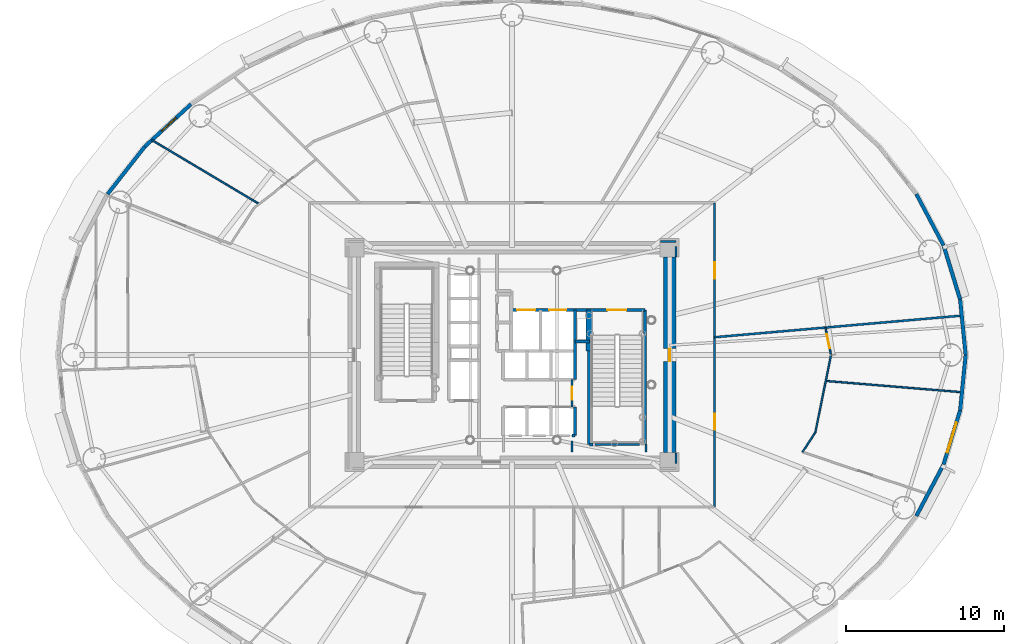
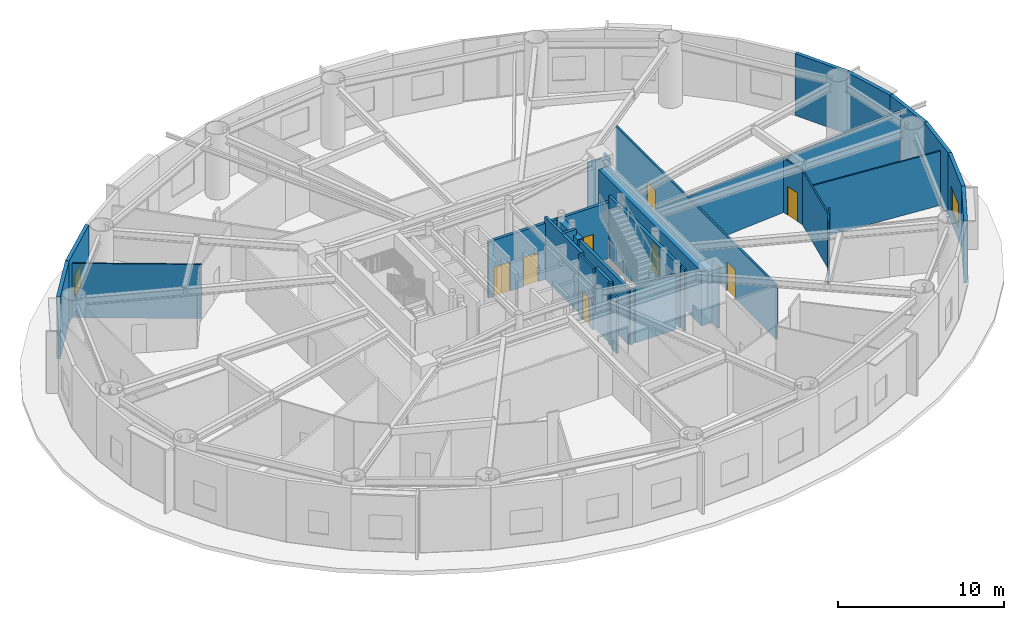
# One storey, part 12 of 19: 32 walls, 8 doors, 2 windows, 10 openings.
"""IFC4 building model written with IfcOpenShell, lengths in metres."""

from ifc_helpers import new_model, si_unit, direction, frame, frame_2d, origin, origin_2d, place, context, subcontext, project, spatial, rectangle, extrude, source, transform, mapped, material, layer, layer_set, type_object, element, fill, save


model = new_model("IFC4")

# Units and contexts
model_context = context("Model", 3, precision=1e-05, world=origin(), true_north=direction((0.0, 1.0)))
body_context = subcontext(model_context, "Body", "Model", "MODEL_VIEW")
ifc_project = project(units=[si_unit("LENGTHUNIT", "METRE"), si_unit("AREAUNIT", "SQUARE_METRE"), si_unit("VOLUMEUNIT", "CUBIC_METRE"), si_unit("PLANEANGLEUNIT", "RADIAN"), si_unit("MASSUNIT", "GRAM", prefix="KILO")], contexts=[model_context])

# Site, building, storey
site_placement = place(None, origin())
site = spatial("IfcSite", under=ifc_project, at=site_placement, CompositionType="ELEMENT")
building_placement = place(site_placement, origin())
building = spatial("IfcBuilding", under=site, at=building_placement, Name="Linh Dai School and Residence Tower", CompositionType="ELEMENT")
storey_placement = place(building_placement, frame((0.0, 0.0, 92.39990234375)))
storey = spatial("IfcBuildingStorey", under=building, at=storey_placement, Name="L21", CompositionType="ELEMENT", Elevation=92.39990234375)

# Walls
ifc_material_1 = material(Name="Precast Concrete B45 (C35/45)", Category="concrete")
ifc_layer_1 = layer(ifc_material_1, 0.239990234375)
ifc_layer_set_1 = layer_set([ifc_layer_1], Name="Precast Concrete B45 (C35/45)")
wall_type_1 = type_object("IfcWallType", Name="EW-TC-240", PredefinedType="SOLIDWALL", material=ifc_layer_set_1)
wall_1_placement = place(storey_placement, frame((64.421630859375, 30.515380859375, 0.0), z_axis=(0.0, 0.0, 1.0), x_axis=(0.099989468229, -0.994988495533, 0.0)))
element("IfcWall", 1, at=wall_1_placement, inside=storey, type_object=wall_type_1, Name="L21 Terracotta Exterior Wall 01", PredefinedType="SOLIDWALL", context=body_context, shape_type="SweptSolid", body=[
    extrude(rectangle(XDim=3.533203125, YDim=0.239990234375, at=frame_2d((1.7666015625, 0.0))), origin(), (0.0, 0.0, 1.0), 4.550048828125),
])
wall_2_placement = place(storey_placement, frame((63.3701171875, 33.945068359375, 0.0), z_axis=(0.0, 0.0, 1.0), x_axis=(0.293124431344, -0.956074300329, 0.0)))
element("IfcWall", 2, at=wall_2_placement, inside=storey, type_object=wall_type_1, Name="L21 Terracotta Exterior Wall 02", PredefinedType="SOLIDWALL", context=body_context, shape_type="SweptSolid", body=[
    extrude(rectangle(XDim=3.587158203125, YDim=0.239990234375, at=frame_2d((1.79345703125, 0.0))), origin(), (0.0, 0.0, 1.0), 4.550048828125),
])
wall_3_placement = place(storey_placement, frame((61.645263671875, 37.20556640625, 0.0), z_axis=(0.0, 0.0, 1.0), x_axis=(0.467614004126, -0.883932770716, 0.0)))
element("IfcWall", 3, at=wall_3_placement, inside=storey, type_object=wall_type_1, Name="L21 Terracotta Exterior Wall 03", PredefinedType="SOLIDWALL", context=body_context, shape_type="SweptSolid", body=[
    extrude(rectangle(XDim=3.688720703125, YDim=0.239990234375, at=frame_2d((1.84423828125, 0.0))), origin(), (0.0, 0.0, 1.0), 4.550048828125),
])

# Wall, opening, window
wall_4_placement = place(storey_placement, frame((12.7109375, 40.216552734375, 0.0), z_axis=(0.0, 0.0, 1.0), x_axis=(0.737113356241, 0.675769117414, 0.0)))
wall_4 = element("IfcWall", 4, at=wall_4_placement, inside=storey, type_object=wall_type_1, Name="L21 Terracotta Exterior Wall 16", PredefinedType="SOLIDWALL", context=body_context, shape_type="SweptSolid", body=[
    extrude(rectangle(XDim=3.975830078125, YDim=0.239990234375, at=frame_2d((1.98779296875, 0.0))), origin(), (0.0, 0.0, 1.0), 4.550048828125),
])
opening_1_placement = place(wall_4_placement, frame((1.447021484375, 0.0, 0.89990234375)))
opening_1 = element("IfcOpeningElement", 5, at=opening_1_placement, cuts=wall_4, Name="Opening W3", PredefinedType="OPENING", context=body_context, shape_type="SweptSolid", body=[
    extrude(rectangle(XDim=1.25, YDim=1.64990234375, at=origin_2d()), frame((0.625, 0.1298828125, 0.824951171875), z_axis=(0.0, -1.0, 0.0), x_axis=(1.0, 0.0, 0.0)), (0.0, 0.0, 1.0), 0.260009765625),
])
ifc_material_2 = material(Name="Double Low-E Insulated Glazing", Category="glass")
window_type_1 = type_object("IfcWindowType", Name="WN-RES-1250x1650", PartitioningType="SINGLE_PANEL", PredefinedType="WINDOW", material=ifc_material_2)
shared_shape_1 = source(origin(), body_context, "Body", "SweptSolid", [
    extrude(rectangle(XDim=1.25, YDim=1.64990234375, at=origin_2d()), frame((0.625, 0.030029296875, 0.824951171875), z_axis=(0.0, -1.0, 0.0), x_axis=(1.0, 0.0, 0.0)), (0.0, 0.0, 1.0), 0.06005859375),
])
window_1_placement = place(opening_1_placement, origin())
window_1 = element("IfcWindow", 6, at=window_1_placement, inside=storey, type_object=window_type_1, Name="L21 Dwelling Window U2101-BD1", OverallHeight=1.64990234375, OverallWidth=1.25, PartitioningType="SINGLE_PANEL", PredefinedType="WINDOW", context=body_context, shape_type="MappedRepresentation", body=[
    mapped(shared_shape_1, transform((0.0, 0.0, 0.0), x_axis=(1.0, 0.0, 0.0), y_axis=(0.0, 1.0, 0.0), z_axis=(0.0, 0.0, 1.0), scale=1.0)),
])
fill(opening_1, window_1)

# Walls
wall_5_placement = place(storey_placement, frame((10.354736328125, 37.20556640625, 0.0), z_axis=(0.0, 0.0, 1.0), x_axis=(0.616272103517, 0.787533297345, 0.0)))
element("IfcWall", 7, at=wall_5_placement, inside=storey, type_object=wall_type_1, Name="L21 Terracotta Exterior Wall 17", PredefinedType="SOLIDWALL", context=body_context, shape_type="SweptSolid", body=[
    extrude(rectangle(XDim=3.8232421875, YDim=0.239990234375, at=frame_2d((1.91162109375, 0.0))), origin(), (0.0, 0.0, 1.0), 4.550048828125),
])
wall_6_placement = place(storey_placement, frame((63.3701171875, 20.054931640625, 0.0), z_axis=(0.0, 0.0, 1.0), x_axis=(-0.467614004126, -0.883932770716, 0.0)))
element("IfcWall", 8, at=wall_6_placement, inside=storey, type_object=wall_type_1, Name="L21 Terracotta Exterior Wall 38", PredefinedType="SOLIDWALL", context=body_context, shape_type="SweptSolid", body=[
    extrude(rectangle(XDim=3.688720703125, YDim=0.239990234375, at=frame_2d((1.84423828125, 0.0))), origin(), (0.0, 0.0, 1.0), 4.550048828125),
])

# Wall, opening, window
wall_7_placement = place(storey_placement, frame((64.421630859375, 23.484619140625, 0.0), z_axis=(0.0, 0.0, 1.0), x_axis=(-0.293124431344, -0.956074300329, 0.0)))
wall_7 = element("IfcWall", 9, at=wall_7_placement, inside=storey, type_object=wall_type_1, Name="L21 Terracotta Exterior Wall 39", PredefinedType="SOLIDWALL", context=body_context, shape_type="SweptSolid", body=[
    extrude(rectangle(XDim=3.587158203125, YDim=0.239990234375, at=frame_2d((1.79345703125, 0.0))), origin(), (0.0, 0.0, 1.0), 4.550048828125),
])
opening_2_placement = place(wall_7_placement, frame((0.793701171875, 0.0, 0.89990234375)))
opening_2 = element("IfcOpeningElement", 10, at=opening_2_placement, cuts=wall_7, Name="Opening W1", PredefinedType="OPENING", context=body_context, shape_type="SweptSolid", body=[
    extrude(rectangle(XDim=2.0, YDim=1.75, at=origin_2d()), frame((1.0, 0.1298828125, 0.875), z_axis=(0.0, -1.0, 0.0), x_axis=(1.0, 0.0, 0.0)), (0.0, 0.0, 1.0), 0.260009765625),
])
window_type_2 = type_object("IfcWindowType", Name="WN-RES-2000x1750", PartitioningType="DOUBLE_PANEL_VERTICAL", PredefinedType="WINDOW", material=ifc_material_2)
shared_shape_2 = source(origin(), body_context, "Body", "SweptSolid", [
    extrude(rectangle(XDim=2.0, YDim=1.75, at=origin_2d()), frame((1.0, 0.030029296875, 0.875), z_axis=(0.0, -1.0, 0.0), x_axis=(1.0, 0.0, 0.0)), (0.0, 0.0, 1.0), 0.06005859375),
])
window_2_placement = place(opening_2_placement, origin())
window_2 = element("IfcWindow", 11, at=window_2_placement, inside=storey, type_object=window_type_2, Name="L21 Exterior Window 39.1", OverallHeight=1.75, OverallWidth=2.0, PartitioningType="DOUBLE_PANEL_VERTICAL", PredefinedType="WINDOW", context=body_context, shape_type="MappedRepresentation", body=[
    mapped(shared_shape_2, transform((0.0, 0.0, 0.0), x_axis=(1.0, 0.0, 0.0), y_axis=(0.0, 1.0, 0.0), z_axis=(0.0, 0.0, 1.0), scale=1.0)),
])
fill(opening_2, window_2)

# Wall
wall_8_placement = place(storey_placement, frame((64.77490234375, 27.0, 0.0), z_axis=(0.0, 0.0, 1.0), x_axis=(-0.099989468229, -0.994988495533, 0.0)))
element("IfcWall", 12, at=wall_8_placement, inside=storey, type_object=wall_type_1, Name="L21 Terracotta Exterior Wall 40", PredefinedType="SOLIDWALL", context=body_context, shape_type="SweptSolid", body=[
    extrude(rectangle(XDim=3.533203125, YDim=0.239990234375, at=frame_2d((1.7666015625, 0.0))), origin(), (0.0, 0.0, 1.0), 4.550048828125),
])

# Wall, opening, door
ifc_material_3 = material(Name="Autoclaved Aerated Concrete Blockwork", Category="masonry")
ifc_layer_2 = layer(ifc_material_3, 0.135009765625)
ifc_layer_set_2 = layer_set([ifc_layer_2], Name="Autoclaved Aerated Concrete Blockwork")
wall_type_2 = type_object("IfcWallType", Name="IW-CORR-135-EI90", PredefinedType="PARTITIONING", material=ifc_layer_set_2)
wall_9_placement = place(storey_placement, frame((39.800048828125, 23.699951171875, 0.0), z_axis=(0.0, 0.0, 1.0), x_axis=(0.0, 1.0, 0.0)))
wall_9 = element("IfcWall", 13, at=wall_9_placement, inside=storey, type_object=wall_type_2, Name="L21 Interior Partition Wall 057", PredefinedType="PARTITIONING", context=body_context, shape_type="SweptSolid", body=[
    extrude(rectangle(XDim=1.75, YDim=0.135009765625, at=frame_2d((0.875, 0.0))), origin(), (0.0, 0.0, 1.0), 4.550048828125),
])
opening_3_placement = place(wall_9_placement, frame((0.465087890625, 0.0, 0.0)))
opening_3 = element("IfcOpeningElement", 14, at=opening_3_placement, cuts=wall_9, Name="Opening D06", PredefinedType="OPENING", context=body_context, shape_type="SweptSolid", body=[
    extrude(rectangle(XDim=0.820068359375, YDim=2.10009765625, at=origin_2d()), frame((0.41015625, 0.07763671875, 1.050048828125), z_axis=(0.0, -1.0, 0.0), x_axis=(1.0, 0.0, 0.0)), (0.0, 0.0, 1.0), 0.155029296875),
])
ifc_material_4 = material(Name="Moisture-Resistant Timber Bathroom Door", Category="wood")
door_type_1 = type_object("IfcDoorType", Name="DR-WET-820x2100", OperationType="NOTDEFINED", PredefinedType="DOOR", material=ifc_material_4)
shared_shape_3 = source(origin(), body_context, "Body", "SweptSolid", [
    extrude(rectangle(XDim=0.820068359375, YDim=2.10009765625, at=origin_2d()), frame((0.41015625, 0.02490234375, 1.050048828125), z_axis=(0.0, -1.0, 0.0), x_axis=(1.0, 0.0, 0.0)), (0.0, 0.0, 1.0), 0.050048828125),
])
door_1_placement = place(opening_3_placement, origin())
door_1 = element("IfcDoor", 15, at=door_1_placement, inside=storey, type_object=door_type_1, Name="L21 Core Housekeeping Store Door", OperationType="SINGLE_SWING_LEFT", OverallHeight=2.10009765625, OverallWidth=0.820068359375, PredefinedType="DOOR", context=body_context, shape_type="MappedRepresentation", body=[
    mapped(shared_shape_3, transform((0.0, 0.0, 0.0), x_axis=(1.0, 0.0, 0.0), y_axis=(0.0, 1.0, 0.0), z_axis=(0.0, 0.0, 1.0), scale=1.0)),
])
fill(opening_3, door_1)

# Wall, openings, doors
wall_10_placement = place(storey_placement, frame((48.85009765625, 17.35009765625, 0.0), z_axis=(0.0, 0.0, 1.0), x_axis=(0.0, 1.0, 0.0)))
wall_10 = element("IfcWall", 16, at=wall_10_placement, inside=storey, type_object=wall_type_2, Name="L21 Interior Partition Wall 072", PredefinedType="PARTITIONING", context=body_context, shape_type="SweptSolid", body=[
    extrude(rectangle(XDim=19.2998046875, YDim=0.135009765625, at=frame_2d((9.64990234375, 0.0))), origin(), (0.0, 0.0, 1.0), 3.985107421875),
])
opening_4_placement = place(wall_10_placement, frame((4.906982421875, 0.0, 0.0)))
opening_4 = element("IfcOpeningElement", 17, at=opening_4_placement, cuts=wall_10, Name="Opening D03", PredefinedType="OPENING", context=body_context, shape_type="SweptSolid", body=[
    extrude(rectangle(XDim=1.0, YDim=2.14990234375, at=origin_2d()), frame((0.5, 0.07763671875, 1.074951171875), z_axis=(0.0, -1.0, 0.0), x_axis=(1.0, 0.0, 0.0)), (0.0, 0.0, 1.0), 0.155029296875),
])
opening_5_placement = place(wall_10_placement, frame((14.4921875, 0.0, 0.0)))
opening_5 = element("IfcOpeningElement", 18, at=opening_5_placement, cuts=wall_10, Name="Opening D04", PredefinedType="OPENING", context=body_context, shape_type="SweptSolid", body=[
    extrude(rectangle(XDim=1.050048828125, YDim=2.14990234375, at=origin_2d()), frame((0.52490234375, 0.07763671875, 1.074951171875), z_axis=(0.0, -1.0, 0.0), x_axis=(1.0, 0.0, 0.0)), (0.0, 0.0, 1.0), 0.155029296875),
])
ifc_material_5 = material(Name="Acoustic Vision-Panel Timber Classroom Door", Category="wood")
door_type_2 = type_object("IfcDoorType", Name="DR-SCH-1050x2150-FD60S", OperationType="NOTDEFINED", PredefinedType="DOOR", material=ifc_material_5)
shared_shape_4 = source(origin(), body_context, "Body", "SweptSolid", [
    extrude(rectangle(XDim=1.050048828125, YDim=2.14990234375, at=origin_2d()), frame((0.52490234375, 0.02490234375, 1.074951171875), z_axis=(0.0, -1.0, 0.0), x_axis=(1.0, 0.0, 0.0)), (0.0, 0.0, 1.0), 0.050048828125),
])
door_2_placement = place(opening_5_placement, origin())
door_2 = element("IfcDoor", 19, at=door_2_placement, inside=storey, type_object=door_type_2, Name="L21 Low-Zone Sky Garden Pavilion Lounge Door", OperationType="SINGLE_SWING_RIGHT", OverallHeight=2.14990234375, OverallWidth=1.050048828125, PredefinedType="DOOR", context=body_context, shape_type="MappedRepresentation", body=[
    mapped(shared_shape_4, transform((0.0, 0.0, 0.0), x_axis=(1.0, 0.0, 0.0), y_axis=(0.0, 1.0, 0.0), z_axis=(0.0, 0.0, 1.0), scale=1.0)),
])
fill(opening_5, door_2)
ifc_material_6 = material(Name="Fire-Rated Solid Timber Entrance Door", Category="wood")
door_type_3 = type_object("IfcDoorType", Name="DR-FLAT-1000x2150-FD60S", OperationType="NOTDEFINED", PredefinedType="DOOR", material=ifc_material_6)
shared_shape_5 = source(origin(), body_context, "Body", "SweptSolid", [
    extrude(rectangle(XDim=1.0, YDim=2.14990234375, at=origin_2d()), frame((0.5, 0.02490234375, 1.074951171875), z_axis=(0.0, -1.0, 0.0), x_axis=(1.0, 0.0, 0.0)), (0.0, 0.0, 1.0), 0.050048828125),
])
door_3_placement = place(opening_4_placement, origin())
door_3 = element("IfcDoor", 20, at=door_3_placement, inside=storey, type_object=door_type_3, Name="L21 U2103 Apartment Entrance Door", OperationType="SINGLE_SWING_RIGHT", OverallHeight=2.14990234375, OverallWidth=1.0, PredefinedType="DOOR", context=body_context, shape_type="MappedRepresentation", body=[
    mapped(shared_shape_5, transform((0.0, 0.0, 0.0), x_axis=(1.0, 0.0, 0.0), y_axis=(0.0, 1.0, 0.0), z_axis=(0.0, 0.0, 1.0), scale=1.0)),
])
fill(opening_4, door_3)

# Walls
wall_11_placement = place(storey_placement, frame((48.85009765625, 28.124267578125, 0.0), z_axis=(0.0, 0.0, 1.0), x_axis=(0.99619417209, 0.087161754768, 0.0)))
element("IfcWall", 21, at=wall_11_placement, inside=storey, type_object=wall_type_2, Name="L21 Interior Partition Wall 073", PredefinedType="PARTITIONING", context=body_context, shape_type="SweptSolid", body=[
    extrude(rectangle(XDim=15.73876953125, YDim=0.135009765625, at=frame_2d((7.869384765625, 0.0))), origin(), (0.0, 0.0, 1.0), 3.985107421875),
])
wall_12_placement = place(storey_placement, frame((44.080078125, 21.330078125, 0.0), z_axis=(0.0, 0.0, 1.0), x_axis=(-1.0, 0.0, 0.0)))
element("IfcWall", 22, at=wall_12_placement, inside=storey, type_object=wall_type_2, Name="L21 Interior Partition Wall 080", PredefinedType="PARTITIONING", context=body_context, shape_type="SweptSolid", body=[
    extrude(rectangle(XDim=2.820068359375, YDim=0.135009765625, at=frame_2d((1.41015625, 0.0))), origin(), (0.0, 0.0, 1.0), 4.085205078125),
])
wall_13_placement = place(storey_placement, frame((39.800048828125, 20.860107421875, 0.0), z_axis=(0.0, 0.0, 1.0), x_axis=(0.0, 1.0, 0.0)))
element("IfcWall", 23, at=wall_13_placement, inside=storey, type_object=wall_type_2, Name="L21 Interior Partition Wall 085", PredefinedType="PARTITIONING", context=body_context, shape_type="SweptSolid", body=[
    extrude(rectangle(XDim=0.679931640625, YDim=0.135009765625, at=frame_2d((0.33984375, 0.0))), origin(), (0.0, 0.0, 1.0), 4.085205078125),
])
wall_14_placement = place(storey_placement, frame((44.5, 20.860107421875, 0.0), z_axis=(0.0, 0.0, 1.0), x_axis=(0.0, 1.0, 0.0)))
element("IfcWall", 24, at=wall_14_placement, inside=storey, type_object=wall_type_2, Name="L21 Interior Partition Wall 087", PredefinedType="PARTITIONING", context=body_context, shape_type="SweptSolid", body=[
    extrude(rectangle(XDim=0.4599609375, YDim=0.135009765625, at=frame_2d((0.22998046875, 0.0))), origin(), (0.0, 0.0, 1.0), 4.550048828125),
])
wall_15_placement = place(storey_placement, frame((46.39990234375, 34.199951171875, 0.0), z_axis=(0.0, 0.0, 1.0), x_axis=(-1.0, 0.0, 0.0)))
element("IfcWall", 25, at=wall_15_placement, inside=storey, type_object=wall_type_2, Name="L21 Interior Partition Wall 091", PredefinedType="PARTITIONING", context=body_context, shape_type="SweptSolid", body=[
    extrude(rectangle(XDim=0.989990234375, YDim=0.135009765625, at=frame_2d((0.4951171875, 0.0))), origin(), (0.0, 0.0, 1.0), 3.985107421875),
])
for number, where, z_axis, x_axis, name in (
    (26, (46.39990234375, 20.107421875, 0.0), (0.0, 0.0, 1.0), (0.0, 1.0, 0.0), "L21 Interior Partition Wall 097"),
    (27, (46.39990234375, 33.2099609375, 0.0), (0.0, 0.0, 1.0), (0.0, 1.0, 0.0), "L21 Interior Partition Wall 098"),
):
    element("IfcWall", number, at=place(storey_placement, frame(where, z_axis=z_axis, x_axis=x_axis)), inside=storey, type_object=wall_type_2, Name=name, PredefinedType="PARTITIONING", context=body_context, shape_type="SweptSolid", body=[
        extrude(rectangle(XDim=0.6826171875, YDim=0.135009765625, at=frame_2d((0.34130859375, 0.0))), origin(), (0.0, 0.0, 1.0), 4.550048828125),
    ])

# Wall, openings, doors
ifc_material_7 = material(Name="Concrete B45 (C35/45)", Category="concrete")
ifc_layer_3 = layer(ifc_material_7, 0.199951171875)
ifc_layer_set_3 = layer_set([ifc_layer_3], Name="Concrete B45 (C35/45)")
wall_type_3 = type_object("IfcWallType", Name="IW-SHAFT-200-EI120", PredefinedType="PARTITIONING", material=ifc_layer_set_3)
wall_16_placement = place(storey_placement, frame((35.949951171875, 29.85009765625, 0.0), z_axis=(0.0, 0.0, 1.0), x_axis=(1.0, 0.0, 0.0)))
wall_16 = element("IfcWall", 28, at=wall_16_placement, inside=storey, type_object=wall_type_3, Name="L21 Interior Partition Wall 046", PredefinedType="PARTITIONING", context=body_context, shape_type="SweptSolid", body=[
    extrude(rectangle(XDim=8.489990234375, YDim=0.199951171875, at=frame_2d((4.2451171875, 0.0))), origin(), (0.0, 0.0, 1.0), 4.135009765625),
])
opening_6_placement = place(wall_16_placement, frame((6.10009765625, 0.0, 0.0)))
opening_6 = element("IfcOpeningElement", 29, at=opening_6_placement, cuts=wall_16, Name="Opening D01", PredefinedType="OPENING", context=body_context, shape_type="SweptSolid", body=[
    extrude(rectangle(XDim=1.199951171875, YDim=2.14990234375, at=origin_2d()), frame((0.60009765625, 0.10986328125, 1.074951171875), z_axis=(0.0, -1.0, 0.0), x_axis=(1.0, 0.0, 0.0)), (0.0, 0.0, 1.0), 0.219970703125),
])
opening_7_placement = place(wall_16_placement, frame((0.3701171875, 0.0, 0.0)))
opening_7 = element("IfcOpeningElement", 30, at=opening_7_placement, cuts=wall_16, Name="Opening LD-FF1", PredefinedType="OPENING", context=body_context, shape_type="SweptSolid", body=[
    extrude(rectangle(XDim=1.14990234375, YDim=2.14990234375, at=origin_2d()), frame((0.574951171875, 0.10986328125, 1.074951171875), z_axis=(0.0, -1.0, 0.0), x_axis=(1.0, 0.0, 0.0)), (0.0, 0.0, 1.0), 0.219970703125),
])
opening_8_placement = place(wall_16_placement, frame((2.425048828125, 0.0, 0.0)))
opening_8 = element("IfcOpeningElement", 31, at=opening_8_placement, cuts=wall_16, Name="Opening LD-SV1", PredefinedType="OPENING", context=body_context, shape_type="SweptSolid", body=[
    extrude(rectangle(XDim=1.050048828125, YDim=2.14990234375, at=origin_2d()), frame((0.52490234375, 0.10986328125, 1.074951171875), z_axis=(0.0, -1.0, 0.0), x_axis=(1.0, 0.0, 0.0)), (0.0, 0.0, 1.0), 0.219970703125),
])
ifc_material_8 = material(Name="Fire-Rated Steel Door Leaf", Category="steel")
door_type_4 = type_object("IfcDoorType", Name="DR-STAIR-1200x2150-FD90S", OperationType="NOTDEFINED", PredefinedType="DOOR", material=ifc_material_8)
shared_shape_6 = source(origin(), body_context, "Body", "SweptSolid", [
    extrude(rectangle(XDim=1.199951171875, YDim=2.14990234375, at=origin_2d()), frame((0.60009765625, 0.02490234375, 1.074951171875), z_axis=(0.0, -1.0, 0.0), x_axis=(1.0, 0.0, 0.0)), (0.0, 0.0, 1.0), 0.050048828125),
])
door_4_placement = place(opening_6_placement, origin())
door_4 = element("IfcDoor", 32, at=door_4_placement, inside=storey, type_object=door_type_4, Name="L21 Core Smokeproof Exit Stair ST2 Door", OperationType="SINGLE_SWING_LEFT", OverallHeight=2.14990234375, OverallWidth=1.199951171875, PredefinedType="DOOR", context=body_context, shape_type="MappedRepresentation", body=[
    mapped(shared_shape_6, transform((0.0, 0.0, 0.0), x_axis=(1.0, 0.0, 0.0), y_axis=(0.0, 1.0, 0.0), z_axis=(0.0, 0.0, 1.0), scale=1.0)),
])
fill(opening_6, door_4)
ifc_material_9 = material(Name="Fire-Rated Stainless Steel Firefighting Lift Door", Category="steel")
door_type_5 = type_object("IfcDoorType", Name="DR-LD-FF-1150x2150-FD120", OperationType="DOUBLE_DOOR_SLIDING", PredefinedType="USERDEFINED", material=ifc_material_9)
shared_shape_7 = source(origin(), body_context, "Body", "SweptSolid", [
    extrude(rectangle(XDim=1.14990234375, YDim=2.14990234375, at=origin_2d()), frame((0.574951171875, 0.02490234375, 1.074951171875), z_axis=(0.0, -1.0, 0.0), x_axis=(1.0, 0.0, 0.0)), (0.0, 0.0, 1.0), 0.050048828125),
])
door_5_placement = place(opening_7_placement, origin())
door_5 = element("IfcDoor", 33, at=door_5_placement, inside=storey, type_object=door_type_5, Name="L21 Lift FF1 Sliding Landing Door", ObjectType="LANDING DOOR", OperationType="DOUBLE_DOOR_SLIDING", OverallHeight=2.14990234375, OverallWidth=1.14990234375, PredefinedType="USERDEFINED", context=body_context, shape_type="MappedRepresentation", body=[
    mapped(shared_shape_7, transform((0.0, 0.0, 0.0), x_axis=(1.0, 0.0, 0.0), y_axis=(0.0, 1.0, 0.0), z_axis=(0.0, 0.0, 1.0), scale=1.0)),
])
fill(opening_7, door_5)
ifc_material_10 = material(Name="Brushed Stainless Steel Lift Landing Door", Category="steel")
door_type_6 = type_object("IfcDoorType", Name="DR-LD-PASS-1050x2150", OperationType="DOUBLE_DOOR_SLIDING", PredefinedType="USERDEFINED", material=ifc_material_10)
shared_shape_8 = source(origin(), body_context, "Body", "SweptSolid", [
    extrude(rectangle(XDim=1.050048828125, YDim=2.14990234375, at=origin_2d()), frame((0.52490234375, 0.02490234375, 1.074951171875), z_axis=(0.0, -1.0, 0.0), x_axis=(1.0, 0.0, 0.0)), (0.0, 0.0, 1.0), 0.050048828125),
])
door_6_placement = place(opening_8_placement, origin())
door_6 = element("IfcDoor", 34, at=door_6_placement, inside=storey, type_object=door_type_6, Name="L21 Lift SV1 Sliding Landing Door", ObjectType="LANDING DOOR", OperationType="DOUBLE_DOOR_SLIDING", OverallHeight=2.14990234375, OverallWidth=1.050048828125, PredefinedType="USERDEFINED", context=body_context, shape_type="MappedRepresentation", body=[
    mapped(shared_shape_8, transform((0.0, 0.0, 0.0), x_axis=(1.0, 0.0, 0.0), y_axis=(0.0, 1.0, 0.0), z_axis=(0.0, 0.0, 1.0), scale=1.0)),
])
fill(opening_8, door_6)

# Walls
wall_17_placement = place(storey_placement, frame((39.800048828125, 21.89990234375, 0.0), z_axis=(0.0, 0.0, 1.0), x_axis=(1.0, 0.0, 0.0)))
element("IfcWall", 35, at=wall_17_placement, inside=storey, type_object=wall_type_3, Name="L21 Interior Partition Wall 056", PredefinedType="PARTITIONING", context=body_context, shape_type="SweptSolid", body=[
    extrude(rectangle(XDim=0.199951171875, YDim=0.199951171875, at=frame_2d((0.10009765625, 0.0))), origin(), (0.0, 0.0, 1.0), 4.550048828125),
])
wall_18_placement = place(storey_placement, frame((40.0, 21.89990234375, 0.0), z_axis=(0.0, 0.0, 1.0), x_axis=(0.0, 1.0, 0.0)))
element("IfcWall", 36, at=wall_18_placement, inside=storey, type_object=wall_type_3, Name="L21 Interior Partition Wall 059", PredefinedType="PARTITIONING", context=body_context, shape_type="SweptSolid", body=[
    extrude(rectangle(XDim=1.800048828125, YDim=0.199951171875, at=frame_2d((0.89990234375, 0.0))), origin(), (0.0, 0.0, 1.0), 4.550048828125),
])
wall_19_placement = place(storey_placement, frame((40.0, 25.449951171875, 0.0), z_axis=(0.0, 0.0, 1.0), x_axis=(0.0, 1.0, 0.0)))
element("IfcWall", 37, at=wall_19_placement, inside=storey, type_object=wall_type_3, Name="L21 Interior Partition Wall 060", PredefinedType="PARTITIONING", context=body_context, shape_type="SweptSolid", body=[
    extrude(rectangle(XDim=4.400146484375, YDim=0.199951171875, at=frame_2d((2.2001953125, 0.0))), origin(), (0.0, 0.0, 1.0), 4.550048828125),
])
wall_20_placement = place(storey_placement, frame((40.0, 27.85009765625, 0.0), z_axis=(0.0, 0.0, 1.0), x_axis=(1.0, 0.0, 0.0)))
element("IfcWall", 38, at=wall_20_placement, inside=storey, type_object=wall_type_3, Name="L21 Interior Partition Wall 061", PredefinedType="PARTITIONING", context=body_context, shape_type="SweptSolid", body=[
    extrude(rectangle(XDim=0.89990234375, YDim=0.199951171875, at=frame_2d((0.449951171875, 0.0))), origin(), (0.0, 0.0, 1.0), 4.550048828125),
])
wall_21_placement = place(storey_placement, frame((40.89990234375, 21.330078125, 0.0), z_axis=(0.0, 0.0, 1.0), x_axis=(0.0, 1.0, 0.0)))
element("IfcWall", 39, at=wall_21_placement, inside=storey, type_object=wall_type_3, Name="L21 Interior Partition Wall 063", PredefinedType="PARTITIONING", context=body_context, shape_type="SweptSolid", body=[
    extrude(rectangle(XDim=5.909912109375, YDim=0.199951171875, at=frame_2d((2.955078125, 0.0))), origin(), (0.0, 0.0, 1.0), 4.085205078125),
])
wall_22_placement = place(storey_placement, frame((40.89990234375, 21.330078125, 0.0), z_axis=(0.0, 0.0, 1.0), x_axis=(1.0, 0.0, 0.0)))
element("IfcWall", 40, at=wall_22_placement, inside=storey, type_object=wall_type_3, Name="L21 Interior Partition Wall 064", PredefinedType="PARTITIONING", context=body_context, shape_type="SweptSolid", body=[
    extrude(rectangle(XDim=0.25, YDim=0.199951171875, at=frame_2d((0.125, 0.0))), origin(), (0.0, 0.0, 1.0), 4.085205078125),
])
wall_23_placement = place(storey_placement, frame((44.43994140625, 21.330078125, 0.0), z_axis=(0.0, 0.0, 1.0), x_axis=(0.0, 1.0, 0.0)))
element("IfcWall", 41, at=wall_23_placement, inside=storey, type_object=wall_type_3, Name="L21 Interior Partition Wall 068", PredefinedType="PARTITIONING", context=body_context, shape_type="SweptSolid", body=[
    extrude(rectangle(XDim=8.52001953125, YDim=0.199951171875, at=frame_2d((4.260009765625, 0.0))), origin(), (0.0, 0.0, 1.0), 4.550048828125),
])
ifc_material_11 = material(Name="Gypsum Plasterboard Acoustic Stud Partition", Category="masonry")
ifc_layer_4 = layer(ifc_material_11, 0.10009765625)
ifc_layer_set_4 = layer_set([ifc_layer_4], Name="Gypsum Plasterboard Acoustic Stud Partition")
wall_type_4 = type_object("IfcWallType", Name="IW-UNIT-100", PredefinedType="PARTITIONING", material=ifc_layer_set_4)
wall_24_placement = place(storey_placement, frame((13.159423828125, 40.63427734375, 0.0), z_axis=(0.0, 0.0, 1.0), x_axis=(0.858651150201, -0.512560437664, 0.0)))
element("IfcWall", 42, at=wall_24_placement, inside=storey, type_object=wall_type_4, Name="L21 Interior Partition Wall 007", PredefinedType="PARTITIONING", context=body_context, shape_type="SweptSolid", body=[
    extrude(rectangle(XDim=7.9267578125, YDim=0.10009765625, at=frame_2d((3.96337890625, 0.0))), origin(), (0.0, 0.0, 1.0), 3.985107421875),
])
wall_25_placement = place(storey_placement, frame((54.419677734375, 20.84423828125, 0.0), z_axis=(0.0, 0.0, 1.0), x_axis=(0.545376249248, 0.838191354499, 0.0)))
element("IfcWall", 43, at=wall_25_placement, inside=storey, type_object=wall_type_4, Name="L21 Interior Partition Wall 075", PredefinedType="PARTITIONING", context=body_context, shape_type="SweptSolid", body=[
    extrude(rectangle(XDim=1.504150390625, YDim=0.10009765625, at=frame_2d((0.751953125, 0.0))), origin(), (0.0, 0.0, 1.0), 4.550048828125),
])
wall_26_placement = place(storey_placement, frame((55.239990234375, 22.10498046875, 0.0), z_axis=(0.0, 0.0, 1.0), x_axis=(0.198240417912, 0.980153425085, 0.0)))
element("IfcWall", 44, at=wall_26_placement, inside=storey, type_object=wall_type_4, Name="L21 Interior Partition Wall 077", PredefinedType="PARTITIONING", context=body_context, shape_type="SweptSolid", body=[
    extrude(rectangle(XDim=4.993896484375, YDim=0.10009765625, at=frame_2d((2.4970703125, 0.0))), origin(), (0.0, 0.0, 1.0), 3.985107421875),
])

# Wall, opening, door
wall_27_placement = place(storey_placement, frame((55.878173828125, 28.739013671875, 0.0), z_axis=(0.0, 0.0, 1.0), x_axis=(0.198285544288, -0.980144296992, 0.0)))
wall_27 = element("IfcWall", 45, at=wall_27_placement, inside=storey, type_object=wall_type_4, Name="L21 Interior Partition Wall 078", PredefinedType="PARTITIONING", context=body_context, shape_type="SweptSolid", body=[
    extrude(rectangle(XDim=1.774169921875, YDim=0.10009765625, at=frame_2d((0.88720703125, 0.0))), origin(), (0.0, 0.0, 1.0), 3.985107421875),
])
opening_9_placement = place(wall_27_placement, frame((0.437255859375, 0.0, 0.0)))
opening_9 = element("IfcOpeningElement", 46, at=opening_9_placement, cuts=wall_27, Name="Opening D05", PredefinedType="OPENING", context=body_context, shape_type="SweptSolid", body=[
    extrude(rectangle(XDim=0.89990234375, YDim=2.10009765625, at=origin_2d()), frame((0.449951171875, 0.06005859375, 1.050048828125), z_axis=(0.0, -1.0, 0.0), x_axis=(1.0, 0.0, 0.0)), (0.0, 0.0, 1.0), 0.1201171875),
])
ifc_material_12 = material(Name="Engineered Timber Internal Door", Category="wood")
door_type_7 = type_object("IfcDoorType", Name="DR-INT-900x2100", OperationType="NOTDEFINED", PredefinedType="DOOR", material=ifc_material_12)
shared_shape_9 = source(origin(), body_context, "Body", "SweptSolid", [
    extrude(rectangle(XDim=0.89990234375, YDim=2.10009765625, at=origin_2d()), frame((0.449951171875, 0.02490234375, 1.050048828125), z_axis=(0.0, -1.0, 0.0), x_axis=(1.0, 0.0, 0.0)), (0.0, 0.0, 1.0), 0.050048828125),
])
door_7_placement = place(opening_9_placement, origin())
door_7 = element("IfcDoor", 47, at=door_7_placement, inside=storey, type_object=door_type_7, Name="L21 Apartment U2103 Study Door", OperationType="SINGLE_SWING_RIGHT", OverallHeight=2.10009765625, OverallWidth=0.89990234375, PredefinedType="DOOR", context=body_context, shape_type="MappedRepresentation", body=[
    mapped(shared_shape_9, transform((0.0, 0.0, 0.0), x_axis=(1.0, 0.0, 0.0), y_axis=(0.0, 1.0, 0.0), z_axis=(0.0, 0.0, 1.0), scale=1.0)),
])
fill(opening_9, door_7)

# Walls
wall_28_placement = place(storey_placement, frame((55.89697265625, 25.35302734375, 0.0), z_axis=(0.0, 0.0, 1.0), x_axis=(0.996592182633, -0.08248649292, 0.0)))
element("IfcWall", 48, at=wall_28_placement, inside=storey, type_object=wall_type_4, Name="L21 Interior Partition Wall 079", PredefinedType="PARTITIONING", context=body_context, shape_type="SweptSolid", body=[
    extrude(rectangle(XDim=8.675048828125, YDim=0.10009765625, at=frame_2d((4.33740234375, 0.0))), origin(), (0.0, 0.0, 1.0), 3.985107421875),
])
ifc_layer_5 = layer(ifc_material_7, 0.39990234375)
ifc_layer_set_5 = layer_set([ifc_layer_5], Name="Concrete B45 (C35/45)")
wall_type_5 = type_object("IfcWallType", Name="WL-CORE400", PredefinedType="SHEAR", material=ifc_layer_set_5)
wall_29_placement = place(storey_placement, frame((40.89990234375, 27.25, 0.0), z_axis=(0.0, 0.0, 1.0), x_axis=(0.0, 1.0, 0.0)))
element("IfcWall", 49, at=wall_29_placement, inside=storey, type_object=wall_type_5, Name="L21 Internal Core Shear Wall IE", PredefinedType="SHEAR", context=body_context, shape_type="SweptSolid", body=[
    extrude(rectangle(XDim=2.60009765625, YDim=0.39990234375, at=frame_2d((1.300048828125, 0.0))), origin(), (0.0, 0.0, 1.0), 4.150146484375),
])

# Wall, opening, door
ifc_material_13 = material(Name="Concrete B60 (C50/60)", Category="concrete")
ifc_layer_6 = layer(ifc_material_13, 0.800048828125)
ifc_layer_set_6 = layer_set([ifc_layer_6], Name="Concrete B60 (C50/60)")
wall_type_6 = type_object("IfcWallType", Name="WL-CORE800", PredefinedType="SHEAR", material=ifc_layer_set_6)
wall_30_placement = place(storey_placement, frame((46.0, 33.199951171875, 0.0), z_axis=(0.0, 0.0, 1.0), x_axis=(0.0, -1.0, 0.0)))
wall_30 = element("IfcWall", 50, at=wall_30_placement, inside=storey, type_object=wall_type_6, Name="L21 Central Core Shear Wall E", PredefinedType="SHEAR", context=body_context, shape_type="SweptSolid", body=[
    extrude(rectangle(XDim=12.39990234375, YDim=0.800048828125, at=frame_2d((6.199951171875, 0.0))), origin(), (0.0, 0.0, 1.0), 4.0),
])
opening_10_placement = place(wall_30_placement, frame((5.7900390625, 0.0, 0.0)))
opening_10 = element("IfcOpeningElement", 51, at=opening_10_placement, cuts=wall_30, Name="Opening D06", PredefinedType="OPENING", context=body_context, shape_type="SweptSolid", body=[
    extrude(rectangle(XDim=0.820068359375, YDim=2.10009765625, at=origin_2d()), frame((0.41015625, 0.41015625, 1.050048828125), z_axis=(0.0, -1.0, 0.0), x_axis=(1.0, 0.0, 0.0)), (0.0, 0.0, 1.0), 0.820068359375),
])
door_8_placement = place(opening_10_placement, origin())
door_8 = element("IfcDoor", 52, at=door_8_placement, inside=storey, type_object=door_type_1, Name="L21 Firefighting Lobby Door", OperationType="SINGLE_SWING_RIGHT", OverallHeight=2.10009765625, OverallWidth=0.820068359375, PredefinedType="DOOR", context=body_context, shape_type="MappedRepresentation", body=[
    mapped(shared_shape_3, transform((0.0, 0.0, 0.0), x_axis=(1.0, 0.0, 0.0), y_axis=(0.0, 1.0, 0.0), z_axis=(0.0, 0.0, 1.0), scale=1.0)),
])
fill(opening_10, door_8)

save(model, "model.ifc")
